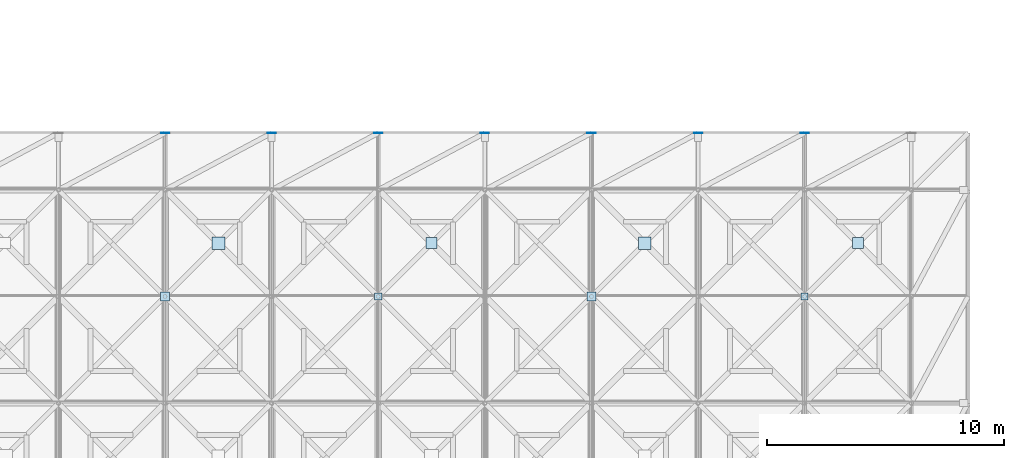
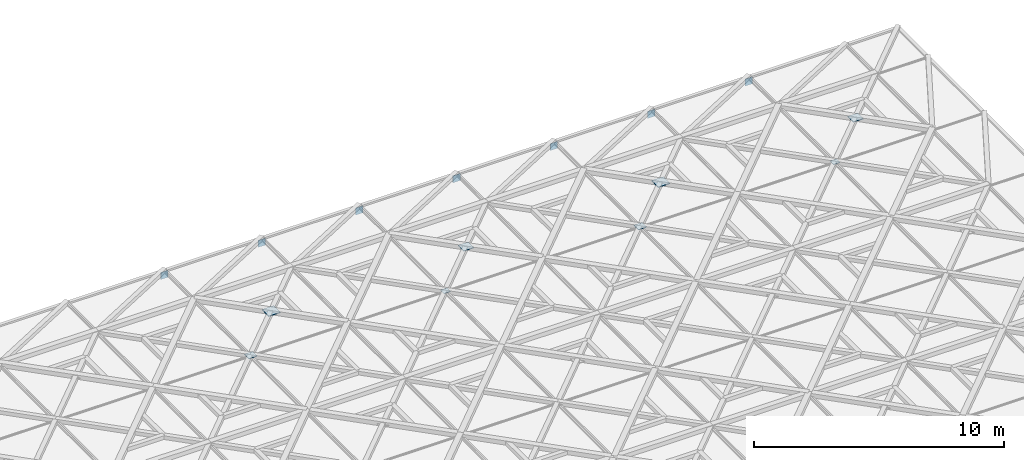
# One storey, part 70 of 80: 15 plates.
"""IFC4 building model written with IfcOpenShell, lengths in metres."""

from ifc_helpers import new_model, si_unit, direction, frame, origin, origin_2d, place, context, subcontext, project, spatial, rectangle, extrude, material, layer, layer_set, type_object, element, save


model = new_model("IFC4")

# Units and contexts
model_context = context("Model", 3, precision=1e-05, world=origin(), true_north=direction((0.0, 1.0)))
body_context = subcontext(model_context, "Body", "Model", "MODEL_VIEW")
ifc_project = project(units=[si_unit("LENGTHUNIT", "METRE"), si_unit("AREAUNIT", "SQUARE_METRE"), si_unit("VOLUMEUNIT", "CUBIC_METRE"), si_unit("PLANEANGLEUNIT", "RADIAN"), si_unit("MASSUNIT", "GRAM", prefix="KILO"), si_unit("THERMODYNAMICTEMPERATUREUNIT", "KELVIN"), si_unit("POWERUNIT", "WATT")], contexts=[model_context])

# Site, building, storey
site_placement = place(None, origin())
site = spatial("IfcSite", under=ifc_project, at=site_placement, CompositionType="ELEMENT")
building_placement = place(site_placement, origin())
building = spatial("IfcBuilding", under=site, at=building_placement, Name="Tallowbark Science Centre", CompositionType="ELEMENT")
storey_placement = place(building_placement, frame((0.0, 0.0, 25.949951171875)))
storey = spatial("IfcBuildingStorey", under=building, at=storey_placement, Name="ROOF", CompositionType="ELEMENT", Elevation=25.949951171875)

# Plates
ifc_material = material(Name="Structural Steel Grade 300PLUS (300 MPa)", Category="steel")
ifc_layer_1 = layer(ifc_material, 0.010009765625)
ifc_layer_set_1 = layer_set([ifc_layer_1], Name="Structural Steel Grade 300PLUS (300 MPa)")
plate_type_1 = type_object("IfcPlateType", Name="PLT-GUS-10", PredefinedType="SHEET", material=ifc_layer_set_1)
for number, where, z_axis, x_axis, name in (
    (1, (81.0, 36.0, 0.44482421875), (0.0, 0.0, 1.0), (1.0, 0.0, 0.0), "Star X-Brace Crossing Gusset Plate TOP-65"),
    (2, (99.0, 36.0, 0.44482421875), (0.0, 0.0, 1.0), (1.0, 0.0, 0.0), "Star X-Brace Crossing Gusset Plate TOP-73"),
):
    element("IfcPlate", number, at=place(storey_placement, frame(where, z_axis=z_axis, x_axis=x_axis)), inside=storey, type_object=plate_type_1, Name=name, PredefinedType="SHEET", context=body_context, shape_type="SweptSolid", body=[
        extrude(rectangle(XDim=0.300048828125, YDim=0.300048828125, at=origin_2d()), origin(), (0.0, 0.0, 1.0), 0.010009765625),
    ])
ifc_layer_2 = layer(ifc_material, 0.01806640625)
ifc_layer_set_2 = layer_set([ifc_layer_2], Name="Structural Steel Grade 300PLUS (300 MPa)")
plate_type_2 = type_object("IfcPlateType", Name="PLT-GUS-18", PredefinedType="SHEET", material=ifc_layer_set_2)
for number, where, z_axis, x_axis, name in (
    (3, (72.0, 36.0, 0.44091796875), (0.0, 0.0, 1.0), (1.0, 0.0, 0.0), "Star X-Brace Crossing Gusset Plate TOP-61"),
    (4, (90.0, 36.0, 0.44091796875), (0.0, 0.0, 1.0), (1.0, 0.0, 0.0), "Star X-Brace Crossing Gusset Plate TOP-69"),
):
    element("IfcPlate", number, at=place(storey_placement, frame(where, z_axis=z_axis, x_axis=x_axis)), inside=storey, type_object=plate_type_2, Name=name, PredefinedType="SHEET", context=body_context, shape_type="SweptSolid", body=[
        extrude(rectangle(XDim=0.3798828125, YDim=0.3798828125, at=origin_2d()), origin(), (0.0, 0.0, 1.0), 0.01806640625),
    ])
ifc_layer_3 = layer(ifc_material, 0.02001953125)
ifc_layer_set_3 = layer_set([ifc_layer_3], Name="Structural Steel Grade 300PLUS (300 MPa)")
plate_type_3 = type_object("IfcPlateType", Name="PLT-GUS-20B", PredefinedType="SHEET", material=ifc_layer_set_3)
for number, where, z_axis, x_axis, name in (
    (5, (72.0, 42.907958984375, 0.02001953125), (0.0, 0.0, 1.0), (1.0, 0.0, 0.0), "Truss Eave End Cap Plate N-4"),
    (6, (76.5, 42.907958984375, 0.02001953125), (0.0, 0.0, 1.0), (1.0, 0.0, 0.0), "Truss Eave End Cap Plate N-5"),
    (7, (81.0, 42.907958984375, 0.02001953125), (0.0, 0.0, 1.0), (1.0, 0.0, 0.0), "Truss Eave End Cap Plate N-6"),
    (8, (85.5, 42.907958984375, 0.02001953125), (0.0, 0.0, 1.0), (1.0, 0.0, 0.0), "Truss Eave End Cap Plate N-7"),
    (9, (90.0, 42.907958984375, 0.02001953125), (0.0, 0.0, 1.0), (1.0, 0.0, 0.0), "Truss Eave End Cap Plate N-8"),
    (10, (94.5, 42.907958984375, 0.02001953125), (0.0, 0.0, 1.0), (1.0, 0.0, 0.0), "Truss Eave End Cap Plate N-9"),
    (11, (99.0, 42.907958984375, 0.02001953125), (0.0, 0.0, 1.0), (1.0, 0.0, 0.0), "Truss Eave End Cap Plate N-10"),
):
    element("IfcPlate", number, at=place(storey_placement, frame(where, z_axis=z_axis, x_axis=x_axis)), inside=storey, type_object=plate_type_3, Name=name, PredefinedType="SHEET", context=body_context, shape_type="SweptSolid", body=[
        extrude(rectangle(XDim=0.340087890625, YDim=0.02001953125, at=origin_2d()), origin(), (0.0, 0.0, 1.0), 0.340087890625),
    ])
ifc_layer_4 = layer(ifc_material, 0.02587890625)
ifc_layer_set_4 = layer_set([ifc_layer_4], Name="Structural Steel Grade 300PLUS (300 MPa)")
plate_type_4 = type_object("IfcPlateType", Name="PLT-GUS-26", PredefinedType="SHEET", material=ifc_layer_set_4)
for number, where, z_axis, x_axis, name in (
    (12, (83.25, 38.25, 0.43701171875), (0.0, 0.0, 1.0), (1.0, 0.0, 0.0), "Star Primary Chord Crossing Gusset Plate TOP-65"),
    (13, (101.25, 38.25, 0.43701171875), (0.0, 0.0, 1.0), (1.0, 0.0, 0.0), "Star Primary Chord Crossing Gusset Plate TOP-73"),
):
    element("IfcPlate", number, at=place(storey_placement, frame(where, z_axis=z_axis, x_axis=x_axis)), inside=storey, type_object=plate_type_4, Name=name, PredefinedType="SHEET", context=body_context, shape_type="SweptSolid", body=[
        extrude(rectangle(XDim=0.4599609375, YDim=0.4599609375, at=origin_2d()), origin(), (0.0, 0.0, 1.0), 0.02587890625),
    ])
ifc_layer_5 = layer(ifc_material, 0.033935546875)
ifc_layer_set_5 = layer_set([ifc_layer_5], Name="Structural Steel Grade 300PLUS (300 MPa)")
plate_type_5 = type_object("IfcPlateType", Name="PLT-GUS-34", PredefinedType="SHEET", material=ifc_layer_set_5)
for number, where, z_axis, x_axis, name in (
    (14, (74.25, 38.25, 0.43310546875), (0.0, 0.0, 1.0), (1.0, 0.0, 0.0), "Star Primary Chord Crossing Gusset Plate TOP-61"),
    (15, (92.25, 38.25, 0.43310546875), (0.0, 0.0, 1.0), (1.0, 0.0, 0.0), "Star Primary Chord Crossing Gusset Plate TOP-69"),
):
    element("IfcPlate", number, at=place(storey_placement, frame(where, z_axis=z_axis, x_axis=x_axis)), inside=storey, type_object=plate_type_5, Name=name, PredefinedType="SHEET", context=body_context, shape_type="SweptSolid", body=[
        extrude(rectangle(XDim=0.5400390625, YDim=0.5400390625, at=origin_2d()), origin(), (0.0, 0.0, 1.0), 0.033935546875),
    ])

save(model, "model.ifc")
